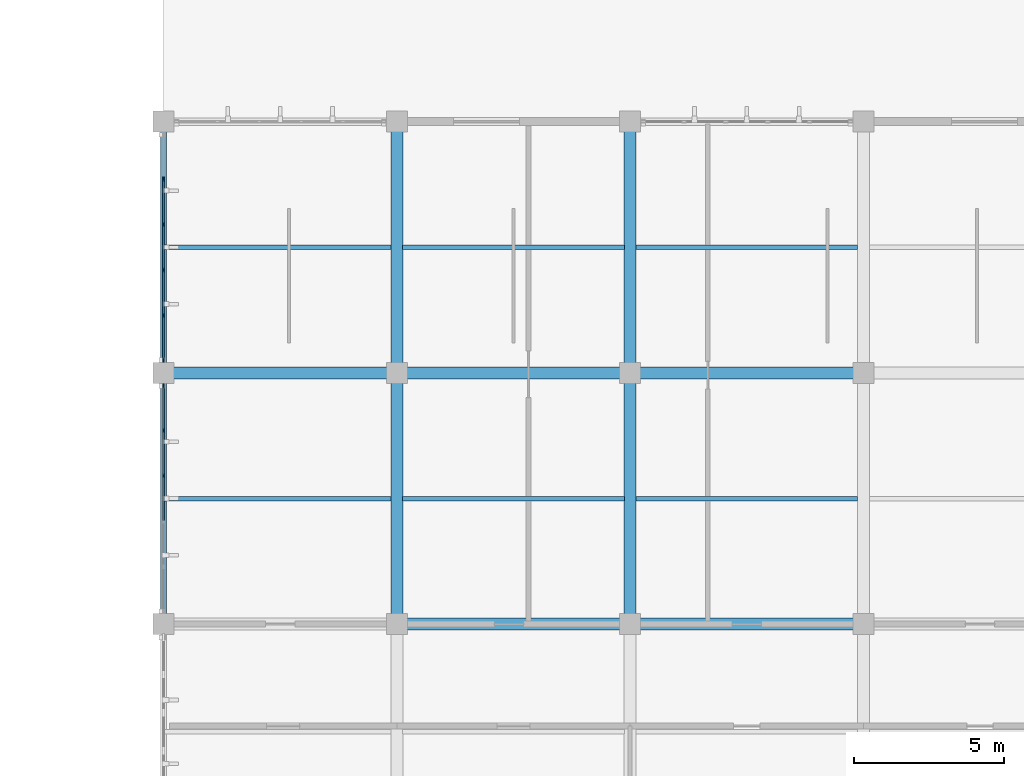
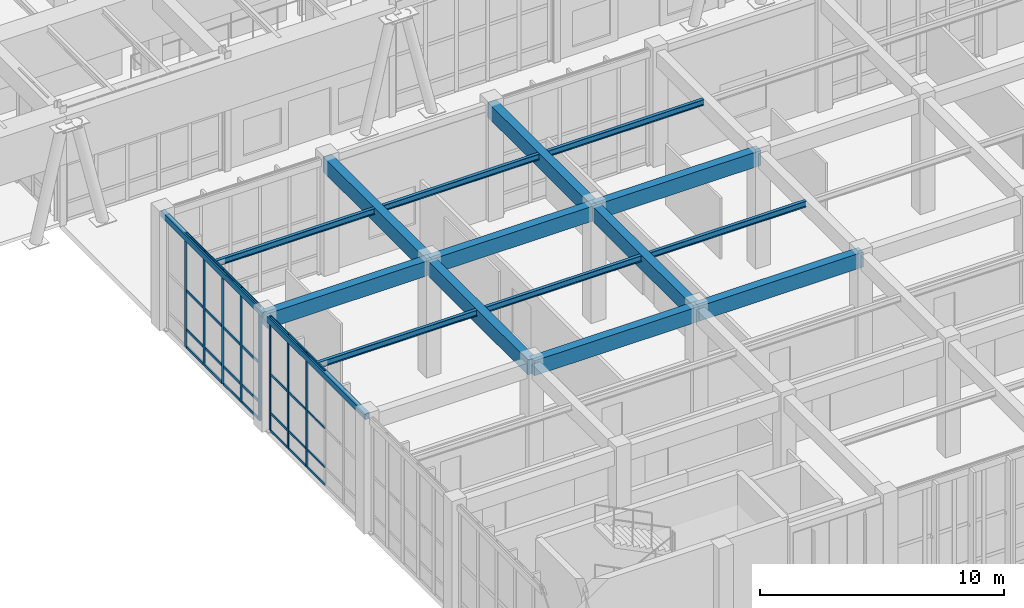
# One storey, part 16 of 110: 36 members, 17 beams, 2 elements without a shape of their own.
"""IFC4 building model written with IfcOpenShell, lengths in metres."""

import ifcopenshell
import ifcopenshell.guid

model = None  # the IFC model being written
_history = None  # IfcOwnerHistory: only IFC2X3 demands one
_inside = {}  # id of a spatial element -> (the spatial element, [elements in it])
_under = {}  # id of a project, library or spatial element -> (it, [spatial elements below it])
_declared = {}  # id of a project -> (the project, [libraries it declares])
_typed = {}  # id of a type object -> (the type object, [elements of that type])
_made_of = {}  # id of a material, layer set ... -> (it, [elements and type objects made of it])


def new_model(schema):
    """Start an empty IFC model of exactly this schema.

    Asked for "IFC4X3", IfcOpenShell would pick the latest addendum, in which some entities
    have other attributes; the version numbers below select the first issue.
    IFC2X3 requires an IfcOwnerHistory on every rooted entity: one is made here for all.
    """
    global model, _history
    if schema == "IFC4X3":
        model = ifcopenshell.file(schema_version=(4, 3, 0, 0))
    else:
        model = ifcopenshell.file(schema=schema)
    _inside.clear()
    _under.clear()
    _declared.clear()
    _typed.clear()
    _made_of.clear()
    _history = None
    if model.schema == "IFC2X3":
        org = make("IfcOrganization", Name="unknown")
        user = make(
            "IfcPersonAndOrganization",
            ThePerson=make("IfcPerson", FamilyName="unknown"),
            TheOrganization=org,
        )
        app = make(
            "IfcApplication",
            ApplicationDeveloper=org,
            Version="unknown",
            ApplicationFullName="unknown",
            ApplicationIdentifier="unknown",
        )
        _history = make(
            "IfcOwnerHistory",
            OwningUser=user,
            OwningApplication=app,
            ChangeAction="ADDED",
            CreationDate=0,
        )
    return model


def make(cls, **values):
    """One entity of the class cls with the attributes given. An attribute that is None is left unset."""
    return model.create_entity(
        cls, **{name: value for name, value in values.items() if value is not None}
    )


def rooted(cls, **values):
    """An entity with a GlobalId (a new one), such as an element, a storey or a relation."""
    return make(cls, GlobalId=ifcopenshell.guid.new(), OwnerHistory=_history, **values)


def si_unit(unit_type, name, prefix=None):
    """IfcSIUnit, for example si_unit("LENGTHUNIT", "METRE", prefix="MILLI")."""
    return make("IfcSIUnit", UnitType=unit_type, Prefix=prefix, Name=name)


def assignment(units):
    """IfcUnitAssignment: the units of a project."""
    return None if units is None else make("IfcUnitAssignment", Units=units)


def point(xyz):
    """IfcCartesianPoint."""
    return None if xyz is None else make("IfcCartesianPoint", Coordinates=xyz)


def direction(xyz):
    """IfcDirection."""
    return None if xyz is None else make("IfcDirection", DirectionRatios=xyz)


def frame(location, z_axis=None, x_axis=None):
    """IfcAxis2Placement3D, a coordinate frame: its origin and axes. An axis left out is left unset."""
    return make(
        "IfcAxis2Placement3D",
        Location=point(location),
        Axis=direction(z_axis),
        RefDirection=direction(x_axis),
    )


def frame_2d(location, x_axis=None):
    """IfcAxis2Placement2D, a coordinate frame in the plane: its origin and x axis."""
    return make(
        "IfcAxis2Placement2D", Location=point(location), RefDirection=direction(x_axis)
    )


def origin():
    """The frame at (0, 0, 0) with its axes left unset."""
    return frame((0.0, 0.0, 0.0))


def origin_2d():
    """The frame at (0, 0) in the plane with its x axis left unset."""
    return frame_2d((0.0, 0.0))


def place(relative_to, where):
    """IfcLocalPlacement: puts the frame where relative to a parent placement (None: the world)."""
    return make(
        "IfcLocalPlacement", PlacementRelTo=relative_to, RelativePlacement=where
    )


def context(
    kind, dimensions, precision=None, world=None, true_north=None, identifier=None
):
    """IfcGeometricRepresentationContext, for example the 3D "Model" context."""
    return make(
        "IfcGeometricRepresentationContext",
        ContextIdentifier=identifier,
        ContextType=kind,
        CoordinateSpaceDimension=dimensions,
        Precision=precision,
        WorldCoordinateSystem=world,
        TrueNorth=true_north,
    )


def subcontext(parent, identifier, kind, view, scale=None):
    """IfcGeometricRepresentationSubContext, for example "Body" below "Model"."""
    return make(
        "IfcGeometricRepresentationSubContext",
        ContextIdentifier=identifier,
        ContextType=kind,
        ParentContext=parent,
        TargetScale=scale,
        TargetView=view,
    )


def project(units=None, contexts=None):
    """IfcProject with its units and contexts."""
    return rooted(
        "IfcProject",
        Name="project",
        RepresentationContexts=contexts,
        UnitsInContext=assignment(units),
    )


def spatial(cls, under=None, at=None, **own):
    """A site, building, storey or space (cls), placed at a placement, below another one or the project."""
    s = rooted(cls, ObjectPlacement=at, **own)
    if under is not None:
        _under.setdefault(under.id(), (under, []))[1].append(s)
    return s


def profile(cls, at=None, kind="AREA", **sizes):
    """A parametric profile (cls). Its sizes go by their IFC names, for example OverallWidth=200.0."""
    return make(cls, ProfileType=kind, Position=at, **sizes)


def rectangle(**sizes):
    """IfcRectangleProfileDef."""
    return profile("IfcRectangleProfileDef", **sizes)


def hollow_rectangle(**sizes):
    """IfcRectangleHollowProfileDef."""
    return profile("IfcRectangleHollowProfileDef", **sizes)


def i_section(**sizes):
    """IfcIShapeProfileDef."""
    return profile("IfcIShapeProfileDef", **sizes)


def extrude(swept, where, along, depth):
    """IfcExtrudedAreaSolid: the profile swept, set in the frame where, extruded along a direction by depth."""
    return make(
        "IfcExtrudedAreaSolid",
        SweptArea=swept,
        Position=where,
        ExtrudedDirection=direction(along),
        Depth=depth,
    )


def shape(context_of_items, identifier, shape_type, items):
    """IfcShapeRepresentation: the items that make up one representation, for example the "Body"."""
    return make(
        "IfcShapeRepresentation",
        ContextOfItems=context_of_items,
        RepresentationIdentifier=identifier,
        RepresentationType=shape_type,
        Items=items,
    )


def material(Name=None, Category=None):
    """IfcMaterial."""
    return make("IfcMaterial", Name=Name, Category=Category)


def material_profile(
    of_material, cross_section, Name=None, Category=None, Priority=None
):
    """IfcMaterialProfile: a cross section and its material."""
    return make(
        "IfcMaterialProfile",
        Name=Name,
        Material=of_material,
        Profile=cross_section,
        Priority=Priority,
        Category=Category,
    )


def profile_set(profiles, Name=None, composite=None):
    """IfcMaterialProfileSet."""
    return make(
        "IfcMaterialProfileSet",
        Name=Name,
        MaterialProfiles=profiles,
        CompositeProfile=composite,
    )


def made_of(thing, what):
    """Note that an element or type object is made of a material, layer set ...; save() writes the relation."""
    if what is not None:
        _made_of.setdefault(what.id(), (what, []))[1].append(thing)
    return thing


def type_object(cls, material=None, **own):
    """A type object (cls), such as IfcWallType, which elements share."""
    return made_of(rooted(cls, **own), material)


def element(
    cls,
    number,
    at=None,
    inside=None,
    cuts=None,
    type_object=None,
    material=None,
    context=None,
    identifier="Body",
    shape_type=None,
    held_by="IfcProductDefinitionShape",
    body=None,
    shapes=None,
    **own,
):
    """One element of the class cls, such as IfcWall. Its Tag is "e" and its number.

    at: its placement. inside: the storey or other place that contains it. cuts: it is an
    opening in that element (IfcRelVoidsElement). A single representation is given by context,
    identifier, shape_type and body (its items); several are given by shapes. held_by: the class
    of the entity that holds the representations. save() writes the other relations.
    """
    e = rooted(cls, Tag="e%d" % number, ObjectPlacement=at, **own)
    if body is not None:
        shapes = [shape(context, identifier, shape_type, body)]
    if shapes is not None:
        e.Representation = make(held_by, Representations=shapes)
    if inside is not None:
        _inside.setdefault(inside.id(), (inside, []))[1].append(e)
    if cuts is not None:
        rooted(
            "IfcRelVoidsElement", RelatingBuildingElement=cuts, RelatedOpeningElement=e
        )
    if type_object is not None:
        _typed.setdefault(type_object.id(), (type_object, []))[1].append(e)
    return made_of(e, material)


def aggregate(whole, parts):
    """IfcRelAggregates: a whole, such as a stair, and the parts it consists of."""
    return rooted("IfcRelAggregates", RelatingObject=whole, RelatedObjects=parts)


def save(model, path):
    """Write the relations noted so far, then the file.

    IfcRelAggregates (storeys below a building ...), IfcRelContainedInSpatialStructure (elements
    in a storey), IfcRelDefinesByType, IfcRelAssociatesMaterial and IfcRelDeclares: one each for
    every whole, place, type object, material and project.
    """
    for whole, parts in _under.values():
        aggregate(whole, parts)
    for where, things in _inside.values():
        rooted(
            "IfcRelContainedInSpatialStructure",
            RelatedElements=things,
            RelatingStructure=where,
        )
    for kind, things in _typed.values():
        rooted("IfcRelDefinesByType", RelatedObjects=things, RelatingType=kind)
    for what, things in _made_of.values():
        rooted("IfcRelAssociatesMaterial", RelatedObjects=things, RelatingMaterial=what)
    for by, libraries in _declared.values():
        rooted("IfcRelDeclares", RelatingContext=by, RelatedDefinitions=libraries)
    model.write(path)


model = new_model("IFC4")

# Units and contexts
model_context = context("Model", 3, precision=1e-05, world=origin(), true_north=direction((0.0, 1.0)))
body_context = subcontext(model_context, "Body", "Model", "MODEL_VIEW")
ifc_project = project(units=[si_unit("LENGTHUNIT", "METRE"), si_unit("AREAUNIT", "SQUARE_METRE"), si_unit("VOLUMEUNIT", "CUBIC_METRE"), si_unit("PLANEANGLEUNIT", "RADIAN"), si_unit("MASSUNIT", "GRAM", prefix="KILO")], contexts=[model_context])

# Site, building, storey
site_placement = place(None, origin())
site = spatial("IfcSite", under=ifc_project, at=site_placement, CompositionType="ELEMENT")
building_placement = place(site_placement, origin())
building = spatial("IfcBuilding", under=site, at=building_placement, Name="Tizgana Railside Sports Hall", CompositionType="ELEMENT")
storey_placement = place(building_placement, origin())
storey = spatial("IfcBuildingStorey", under=building, at=storey_placement, Name="L00", CompositionType="ELEMENT", Elevation=0.0)

# Beams
ifc_material_1 = material(Name="Concrete C35/45", Category="concrete")
ifc_material_profile_1 = material_profile(ifc_material_1, rectangle(XDim=0.39990234375, YDim=0.75, at=origin_2d()), Name="RCB 400x750")
ifc_profile_set_1 = profile_set([ifc_material_profile_1], Name="Concrete C35/45")
beam_type_1 = type_object("IfcBeamType", Name="Concrete Beam RCB 400x750", PredefinedType="BEAM", material=ifc_profile_set_1)
for number, where, z_axis, x_axis, name in (
    (1, (15.60009765625, 15.60009765625, 5.37109375), (0.0, 1.0, 0.0), (-1.0, 0.0, 0.0), "L00 BEM-0338"),
    (2, (15.60009765625, 24.0, 5.37109375), (0.0, 1.0, 0.0), (-1.0, 0.0, 0.0), "L00 BEM-0339"),
    (3, (23.39990234375, 15.60009765625, 5.37109375), (0.0, 1.0, 0.0), (-1.0, 0.0, 0.0), "L00 BEM-0342"),
    (4, (23.39990234375, 24.0, 5.37109375), (0.0, 1.0, 0.0), (-1.0, 0.0, 0.0), "L00 BEM-0343"),
):
    element("IfcBeam", number, at=place(storey_placement, frame(where, z_axis=z_axis, x_axis=x_axis)), inside=storey, type_object=beam_type_1, Name=name, PredefinedType="BEAM", context=body_context, shape_type="SweptSolid", body=[
        extrude(rectangle(XDim=0.39990234375, YDim=0.75, at=origin_2d()), origin(), (0.0, 0.0, 1.0), 8.39990234375),
    ])
beam_placement = place(storey_placement, frame((7.800048828125, 24.0, 5.37109375), z_axis=(1.0, 0.0, 0.0), x_axis=(0.0, 1.0, 0.0)))
element("IfcBeam", 5, at=beam_placement, inside=storey, type_object=beam_type_1, Name="L00 BEM-0380", PredefinedType="BEAM", context=body_context, shape_type="SweptSolid", body=[
    extrude(rectangle(XDim=0.39990234375, YDim=0.75, at=origin_2d()), origin(), (0.0, 0.0, 1.0), 7.800048828125),
])
for number, where, z_axis, x_axis, name in (
    (6, (15.60009765625, 15.60009765625, 5.37109375), (1.0, 0.0, 0.0), (0.0, 1.0, 0.0), "L00 BEM-0386"),
    (7, (15.60009765625, 24.0, 5.37109375), (1.0, 0.0, 0.0), (0.0, 1.0, 0.0), "L00 BEM-0387"),
):
    element("IfcBeam", number, at=place(storey_placement, frame(where, z_axis=z_axis, x_axis=x_axis)), inside=storey, type_object=beam_type_1, Name=name, PredefinedType="BEAM", context=body_context, shape_type="SweptSolid", body=[
        extrude(rectangle(XDim=0.39990234375, YDim=0.75, at=origin_2d()), origin(), (0.0, 0.0, 1.0), 7.7998046875),
    ])
for number, where, z_axis, x_axis, name in (
    (8, (23.39990234375, 15.60009765625, 5.37109375), (1.0, 0.0, 0.0), (0.0, 1.0, 0.0), "L00 BEM-0394"),
    (9, (23.39990234375, 24.0, 5.37109375), (1.0, 0.0, 0.0), (0.0, 1.0, 0.0), "L00 BEM-0395"),
):
    element("IfcBeam", number, at=place(storey_placement, frame(where, z_axis=z_axis, x_axis=x_axis)), inside=storey, type_object=beam_type_1, Name=name, PredefinedType="BEAM", context=body_context, shape_type="SweptSolid", body=[
        extrude(rectangle(XDim=0.39990234375, YDim=0.75, at=origin_2d()), origin(), (0.0, 0.0, 1.0), 7.800048828125),
    ])

# Curtain wall, members
ifc_material_2 = material(Name="Anodised aluminium and glass", Category="aluminium")
curtain_wall_type_1 = type_object("IfcCurtainWallType", Name="Unitised Curtain Wall Clinic 1200", PredefinedType="NOTDEFINED", material=ifc_material_2)
curtain_wall_1_placement = place(storey_placement, origin())
curtain_wall_1 = element("IfcCurtainWall", 10, at=curtain_wall_1_placement, inside=storey, type_object=curtain_wall_type_1, Name="L00 Curtain Wall CW-0084", PredefinedType="NOTDEFINED")
ifc_material_3 = material(Name="Anodised aluminium", Category="aluminium")
ifc_material_profile_2 = material_profile(ifc_material_3, rectangle(XDim=0.06005859375, YDim=0.139892578125, at=origin_2d()), Name="Mullion 60x140")
ifc_profile_set_2 = profile_set([ifc_material_profile_2], Name="Anodised aluminium")
member_type_1 = type_object("IfcMemberType", Name="Mullion 60x140", PredefinedType="MULLION", material=ifc_profile_set_2)
member_1_placement = place(storey_placement, frame((7.800048828125, 23.56494140625, 0.044921875), z_axis=(0.0, 0.0, 1.0), x_axis=(1.0, 0.0, 0.0)))
member_1 = element("IfcMember", 11, at=member_1_placement, type_object=member_type_1, Name="CW-05 mullion 1", PredefinedType="MULLION", context=body_context, shape_type="SweptSolid", body=[
    extrude(rectangle(XDim=0.06005859375, YDim=0.139892578125, at=origin_2d()), origin(), (0.0, 0.0, 1.0), 5.705078125),
])
member_2_placement = place(storey_placement, frame((7.800048828125, 22.076904296875, 0.044921875), z_axis=(0.0, 0.0, 1.0), x_axis=(1.0, 0.0, 0.0)))
member_2 = element("IfcMember", 12, at=member_2_placement, type_object=member_type_1, Name="CW-05 mullion 2", PredefinedType="MULLION", context=body_context, shape_type="SweptSolid", body=[
    extrude(rectangle(XDim=0.06005859375, YDim=0.139892578125, at=origin_2d()), origin(), (0.0, 0.0, 1.0), 5.705078125),
])
member_3_placement = place(storey_placement, frame((7.800048828125, 20.55908203125, 0.044921875), z_axis=(0.0, 0.0, 1.0), x_axis=(1.0, 0.0, 0.0)))
member_3 = element("IfcMember", 13, at=member_3_placement, type_object=member_type_1, Name="CW-05 mullion 3", PredefinedType="MULLION", context=body_context, shape_type="SweptSolid", body=[
    extrude(rectangle(XDim=0.06005859375, YDim=0.139892578125, at=origin_2d()), origin(), (0.0, 0.0, 1.0), 5.705078125),
])

curtain_wall_type_2 = type_object("IfcCurtainWallType", Name="Unitised Curtain Wall Passage 1800", PredefinedType="NOTDEFINED", material=ifc_material_2)
curtain_wall_2_placement = place(storey_placement, origin())
curtain_wall_2 = element("IfcCurtainWall", 14, at=curtain_wall_2_placement, inside=storey, type_object=curtain_wall_type_2, Name="L00 Curtain Wall CW-0085", PredefinedType="NOTDEFINED")
ifc_material_profile_3 = material_profile(ifc_material_3, rectangle(XDim=0.06005859375, YDim=0.159912109375, at=origin_2d()), Name="Mullion 60x160")
ifc_profile_set_3 = profile_set([ifc_material_profile_3], Name="Anodised aluminium")
member_type_2 = type_object("IfcMemberType", Name="Mullion 60x160", PredefinedType="MULLION", material=ifc_profile_set_3)
member_4_placement = place(storey_placement, frame((7.800048828125, 30.47705078125, 0.044921875), z_axis=(0.0, 0.0, 1.0), x_axis=(1.0, 0.0, 0.0)))
member_4 = element("IfcMember", 15, at=member_4_placement, type_object=member_type_2, Name="CW-06 mullion 2", PredefinedType="MULLION", context=body_context, shape_type="SweptSolid", body=[
    extrude(rectangle(XDim=0.06005859375, YDim=0.159912109375, at=origin_2d()), origin(), (0.0, 0.0, 1.0), 5.705078125),
])
member_5_placement = place(storey_placement, frame((7.800048828125, 28.958984375, 0.044921875), z_axis=(0.0, 0.0, 1.0), x_axis=(1.0, 0.0, 0.0)))
member_5 = element("IfcMember", 16, at=member_5_placement, type_object=member_type_2, Name="CW-06 mullion 3", PredefinedType="MULLION", context=body_context, shape_type="SweptSolid", body=[
    extrude(rectangle(XDim=0.06005859375, YDim=0.159912109375, at=origin_2d()), origin(), (0.0, 0.0, 1.0), 5.705078125),
])
member_6_placement = place(storey_placement, frame((7.800048828125, 27.44091796875, 0.044921875), z_axis=(0.0, 0.0, 1.0), x_axis=(1.0, 0.0, 0.0)))
member_6 = element("IfcMember", 17, at=member_6_placement, type_object=member_type_2, Name="CW-06 mullion 4", PredefinedType="MULLION", context=body_context, shape_type="SweptSolid", body=[
    extrude(rectangle(XDim=0.06005859375, YDim=0.159912109375, at=origin_2d()), origin(), (0.0, 0.0, 1.0), 5.705078125),
])
member_7_placement = place(storey_placement, frame((7.800048828125, 25.923095703125, 0.044921875), z_axis=(0.0, 0.0, 1.0), x_axis=(1.0, 0.0, 0.0)))
member_7 = element("IfcMember", 18, at=member_7_placement, type_object=member_type_2, Name="CW-06 mullion 5", PredefinedType="MULLION", context=body_context, shape_type="SweptSolid", body=[
    extrude(rectangle(XDim=0.06005859375, YDim=0.159912109375, at=origin_2d()), origin(), (0.0, 0.0, 1.0), 5.705078125),
])
member_8_placement = place(storey_placement, frame((7.800048828125, 24.43505859375, 0.044921875), z_axis=(0.0, 0.0, 1.0), x_axis=(1.0, 0.0, 0.0)))
member_8 = element("IfcMember", 19, at=member_8_placement, type_object=member_type_2, Name="CW-06 mullion 6", PredefinedType="MULLION", context=body_context, shape_type="SweptSolid", body=[
    extrude(rectangle(XDim=0.06005859375, YDim=0.159912109375, at=origin_2d()), origin(), (0.0, 0.0, 1.0), 5.705078125),
])

# Beams
ifc_material_4 = material(Name="Steel S355J2", Category="steel")
ifc_material_profile_4 = material_profile(ifc_material_4, i_section(OverallWidth=0.14990234375, OverallDepth=0.300048828125, WebThickness=0.007080078125, FlangeThickness=0.0107421875, FilletRadius=0.014892578125, at=origin_2d()), Name="IPE 300")
ifc_profile_set_4 = profile_set([ifc_material_profile_4], Name="Steel S355J2")
beam_type_2 = type_object("IfcBeamType", Name="Steel Joist IPE 300", PredefinedType="JOIST", material=ifc_profile_set_4)
for number, where, z_axis, x_axis, name in (
    (20, (7.800048828125, 19.800048828125, 5.595947265625), (1.0, 0.0, 0.0), (0.0, 1.0, 0.0), "L00 BEM-0383"),
    (21, (7.800048828125, 28.199951171875, 5.595947265625), (1.0, 0.0, 0.0), (0.0, 1.0, 0.0), "L00 BEM-0384"),
):
    element("IfcBeam", number, at=place(storey_placement, frame(where, z_axis=z_axis, x_axis=x_axis)), inside=storey, type_object=beam_type_2, Name=name, PredefinedType="JOIST", context=body_context, shape_type="SweptSolid", body=[
        extrude(i_section(OverallWidth=0.14990234375, OverallDepth=0.300048828125, WebThickness=0.007080078125, FlangeThickness=0.0107421875, FilletRadius=0.014892578125, at=origin_2d()), origin(), (0.0, 0.0, 1.0), 7.60498046875),
    ])
for number, where, z_axis, x_axis, name in (
    (22, (15.794921875, 19.800048828125, 5.595947265625), (1.0, 0.0, 0.0), (0.0, 1.0, 0.0), "L00 BEM-0390"),
    (23, (15.794921875, 28.199951171875, 5.595947265625), (1.0, 0.0, 0.0), (0.0, 1.0, 0.0), "L00 BEM-0391"),
):
    element("IfcBeam", number, at=place(storey_placement, frame(where, z_axis=z_axis, x_axis=x_axis)), inside=storey, type_object=beam_type_2, Name=name, PredefinedType="JOIST", context=body_context, shape_type="SweptSolid", body=[
        extrude(i_section(OverallWidth=0.14990234375, OverallDepth=0.300048828125, WebThickness=0.007080078125, FlangeThickness=0.0107421875, FilletRadius=0.014892578125, at=origin_2d()), origin(), (0.0, 0.0, 1.0), 7.41015625),
    ])
for number, where, z_axis, x_axis, name in (
    (24, (23.594970703125, 19.800048828125, 5.595947265625), (1.0, 0.0, 0.0), (0.0, 1.0, 0.0), "L00 BEM-0399"),
    (25, (23.594970703125, 28.199951171875, 5.595947265625), (1.0, 0.0, 0.0), (0.0, 1.0, 0.0), "L00 BEM-0400"),
):
    element("IfcBeam", number, at=place(storey_placement, frame(where, z_axis=z_axis, x_axis=x_axis)), inside=storey, type_object=beam_type_2, Name=name, PredefinedType="JOIST", context=body_context, shape_type="SweptSolid", body=[
        extrude(i_section(OverallWidth=0.14990234375, OverallDepth=0.300048828125, WebThickness=0.007080078125, FlangeThickness=0.0107421875, FilletRadius=0.014892578125, at=origin_2d()), origin(), (0.0, 0.0, 1.0), 7.409912109375),
    ])
ifc_material_profile_5 = material_profile(ifc_material_4, hollow_rectangle(XDim=0.199951171875, YDim=0.300048828125, WallThickness=0.010009765625, at=origin_2d()), Name="RHS 300x200x10")
ifc_profile_set_5 = profile_set([ifc_material_profile_5], Name="Steel S355J2")
beam_type_3 = type_object("IfcBeamType", Name="Steel Spandrel RHS 300x200x10", PredefinedType="SPANDREL", material=ifc_profile_set_5)
for number, where, z_axis, x_axis, name in (
    (26, (7.800048828125, 15.60009765625, 5.595947265625), (0.0, 1.0, 0.0), (-1.0, 0.0, 0.0), "L00 BEM-0335"),
    (27, (7.800048828125, 24.0, 5.595947265625), (0.0, 1.0, 0.0), (-1.0, 0.0, 0.0), "L00 BEM-0336"),
):
    element("IfcBeam", number, at=place(storey_placement, frame(where, z_axis=z_axis, x_axis=x_axis)), inside=storey, type_object=beam_type_3, Name=name, PredefinedType="SPANDREL", context=body_context, shape_type="SweptSolid", body=[
        extrude(hollow_rectangle(XDim=0.199951171875, YDim=0.300048828125, WallThickness=0.010009765625, at=origin_2d()), origin(), (0.0, 0.0, 1.0), 8.39990234375),
    ])

# Member
ifc_material_profile_6 = material_profile(ifc_material_3, rectangle(XDim=0.06005859375, YDim=0.110107421875, at=origin_2d()), Name="Transom 60x110")
ifc_profile_set_6 = profile_set([ifc_material_profile_6], Name="Anodised aluminium")
member_type_3 = type_object("IfcMemberType", Name="Transom 60x110", PredefinedType="USERDEFINED", material=ifc_profile_set_6)
member_9_placement = place(storey_placement, frame((7.800048828125, 23.534912109375, 0.074951171875), z_axis=(0.0, -1.0, 0.0), x_axis=(1.0, 0.0, 0.0)))
member_9 = element("IfcMember", 28, at=member_9_placement, type_object=member_type_3, Name="CW-05 transom 1.1", ObjectType="TRANSOM", PredefinedType="USERDEFINED", context=body_context, shape_type="SweptSolid", body=[
    extrude(rectangle(XDim=0.06005859375, YDim=0.110107421875, at=origin_2d()), origin(), (0.0, 0.0, 1.0), 1.427978515625),
])

member_10_placement = place(storey_placement, frame((7.800048828125, 23.534912109375, 0.945068359375), z_axis=(0.0, -1.0, 0.0), x_axis=(1.0, 0.0, 0.0)))
member_10 = element("IfcMember", 29, at=member_10_placement, type_object=member_type_3, Name="CW-05 transom 1.2", ObjectType="TRANSOM", PredefinedType="USERDEFINED", context=body_context, shape_type="SweptSolid", body=[
    extrude(rectangle(XDim=0.06005859375, YDim=0.110107421875, at=origin_2d()), origin(), (0.0, 0.0, 1.0), 1.427978515625),
])

member_11_placement = place(storey_placement, frame((7.800048828125, 23.534912109375, 2.8974609375), z_axis=(0.0, -1.0, 0.0), x_axis=(1.0, 0.0, 0.0)))
member_11 = element("IfcMember", 30, at=member_11_placement, type_object=member_type_3, Name="CW-05 transom 1.3", ObjectType="TRANSOM", PredefinedType="USERDEFINED", context=body_context, shape_type="SweptSolid", body=[
    extrude(rectangle(XDim=0.06005859375, YDim=0.110107421875, at=origin_2d()), origin(), (0.0, 0.0, 1.0), 1.427978515625),
])

member_12_placement = place(storey_placement, frame((7.800048828125, 23.534912109375, 5.719970703125), z_axis=(0.0, -1.0, 0.0), x_axis=(1.0, 0.0, 0.0)))
member_12 = element("IfcMember", 31, at=member_12_placement, type_object=member_type_3, Name="CW-05 transom 1.4", ObjectType="TRANSOM", PredefinedType="USERDEFINED", context=body_context, shape_type="SweptSolid", body=[
    extrude(rectangle(XDim=0.06005859375, YDim=0.110107421875, at=origin_2d()), origin(), (0.0, 0.0, 1.0), 1.427978515625),
])

member_13_placement = place(storey_placement, frame((7.800048828125, 22.047119140625, 0.074951171875), z_axis=(0.0, -1.0, 0.0), x_axis=(1.0, 0.0, 0.0)))
member_13 = element("IfcMember", 32, at=member_13_placement, type_object=member_type_3, Name="CW-05 transom 2.1", ObjectType="TRANSOM", PredefinedType="USERDEFINED", context=body_context, shape_type="SweptSolid", body=[
    extrude(rectangle(XDim=0.06005859375, YDim=0.110107421875, at=origin_2d()), origin(), (0.0, 0.0, 1.0), 1.4580078125),
])

member_14_placement = place(storey_placement, frame((7.800048828125, 22.047119140625, 0.945068359375), z_axis=(0.0, -1.0, 0.0), x_axis=(1.0, 0.0, 0.0)))
member_14 = element("IfcMember", 33, at=member_14_placement, type_object=member_type_3, Name="CW-05 transom 2.2", ObjectType="TRANSOM", PredefinedType="USERDEFINED", context=body_context, shape_type="SweptSolid", body=[
    extrude(rectangle(XDim=0.06005859375, YDim=0.110107421875, at=origin_2d()), origin(), (0.0, 0.0, 1.0), 1.4580078125),
])

member_15_placement = place(storey_placement, frame((7.800048828125, 22.047119140625, 2.8974609375), z_axis=(0.0, -1.0, 0.0), x_axis=(1.0, 0.0, 0.0)))
member_15 = element("IfcMember", 34, at=member_15_placement, type_object=member_type_3, Name="CW-05 transom 2.3", ObjectType="TRANSOM", PredefinedType="USERDEFINED", context=body_context, shape_type="SweptSolid", body=[
    extrude(rectangle(XDim=0.06005859375, YDim=0.110107421875, at=origin_2d()), origin(), (0.0, 0.0, 1.0), 1.4580078125),
])

member_16_placement = place(storey_placement, frame((7.800048828125, 22.047119140625, 5.719970703125), z_axis=(0.0, -1.0, 0.0), x_axis=(1.0, 0.0, 0.0)))
member_16 = element("IfcMember", 35, at=member_16_placement, type_object=member_type_3, Name="CW-05 transom 2.4", ObjectType="TRANSOM", PredefinedType="USERDEFINED", context=body_context, shape_type="SweptSolid", body=[
    extrude(rectangle(XDim=0.06005859375, YDim=0.110107421875, at=origin_2d()), origin(), (0.0, 0.0, 1.0), 1.4580078125),
])

member_17_placement = place(storey_placement, frame((7.800048828125, 20.529052734375, 0.074951171875), z_axis=(0.0, -1.0, 0.0), x_axis=(1.0, 0.0, 0.0)))
member_17 = element("IfcMember", 36, at=member_17_placement, type_object=member_type_3, Name="CW-05 transom 3.1", ObjectType="TRANSOM", PredefinedType="USERDEFINED", context=body_context, shape_type="SweptSolid", body=[
    extrude(rectangle(XDim=0.06005859375, YDim=0.110107421875, at=origin_2d()), origin(), (0.0, 0.0, 1.0), 1.4580078125),
])

member_18_placement = place(storey_placement, frame((7.800048828125, 20.529052734375, 0.945068359375), z_axis=(0.0, -1.0, 0.0), x_axis=(1.0, 0.0, 0.0)))
member_18 = element("IfcMember", 37, at=member_18_placement, type_object=member_type_3, Name="CW-05 transom 3.2", ObjectType="TRANSOM", PredefinedType="USERDEFINED", context=body_context, shape_type="SweptSolid", body=[
    extrude(rectangle(XDim=0.06005859375, YDim=0.110107421875, at=origin_2d()), origin(), (0.0, 0.0, 1.0), 1.4580078125),
])

member_19_placement = place(storey_placement, frame((7.800048828125, 20.529052734375, 2.8974609375), z_axis=(0.0, -1.0, 0.0), x_axis=(1.0, 0.0, 0.0)))
member_19 = element("IfcMember", 38, at=member_19_placement, type_object=member_type_3, Name="CW-05 transom 3.3", ObjectType="TRANSOM", PredefinedType="USERDEFINED", context=body_context, shape_type="SweptSolid", body=[
    extrude(rectangle(XDim=0.06005859375, YDim=0.110107421875, at=origin_2d()), origin(), (0.0, 0.0, 1.0), 1.4580078125),
])

member_20_placement = place(storey_placement, frame((7.800048828125, 20.529052734375, 5.719970703125), z_axis=(0.0, -1.0, 0.0), x_axis=(1.0, 0.0, 0.0)))
member_20 = element("IfcMember", 39, at=member_20_placement, type_object=member_type_3, Name="CW-05 transom 3.4", ObjectType="TRANSOM", PredefinedType="USERDEFINED", context=body_context, shape_type="SweptSolid", body=[
    extrude(rectangle(XDim=0.06005859375, YDim=0.110107421875, at=origin_2d()), origin(), (0.0, 0.0, 1.0), 1.4580078125),
])

aggregate(curtain_wall_1, [member_1, member_2, member_3, member_9, member_10, member_11, member_12, member_13, member_14, member_15, member_16, member_17, member_18, member_19, member_20])

ifc_material_profile_7 = material_profile(ifc_material_3, rectangle(XDim=0.06005859375, YDim=0.1298828125, at=origin_2d()), Name="Transom 60x130")
ifc_profile_set_7 = profile_set([ifc_material_profile_7], Name="Anodised aluminium")
member_type_4 = type_object("IfcMemberType", Name="Transom 60x130", PredefinedType="USERDEFINED", material=ifc_profile_set_7)
member_21_placement = place(storey_placement, frame((7.800048828125, 30.447021484375, 0.074951171875), z_axis=(0.0, -1.0, 0.0), x_axis=(1.0, 0.0, 0.0)))
member_21 = element("IfcMember", 40, at=member_21_placement, type_object=member_type_4, Name="CW-06 transom 2.1", ObjectType="TRANSOM", PredefinedType="USERDEFINED", context=body_context, shape_type="SweptSolid", body=[
    extrude(rectangle(XDim=0.06005859375, YDim=0.1298828125, at=origin_2d()), origin(), (0.0, 0.0, 1.0), 1.4580078125),
])

member_22_placement = place(storey_placement, frame((7.800048828125, 30.447021484375, 0.945068359375), z_axis=(0.0, -1.0, 0.0), x_axis=(1.0, 0.0, 0.0)))
member_22 = element("IfcMember", 41, at=member_22_placement, type_object=member_type_4, Name="CW-06 transom 2.2", ObjectType="TRANSOM", PredefinedType="USERDEFINED", context=body_context, shape_type="SweptSolid", body=[
    extrude(rectangle(XDim=0.06005859375, YDim=0.1298828125, at=origin_2d()), origin(), (0.0, 0.0, 1.0), 1.4580078125),
])

member_23_placement = place(storey_placement, frame((7.800048828125, 30.447021484375, 2.8974609375), z_axis=(0.0, -1.0, 0.0), x_axis=(1.0, 0.0, 0.0)))
member_23 = element("IfcMember", 42, at=member_23_placement, type_object=member_type_4, Name="CW-06 transom 2.3", ObjectType="TRANSOM", PredefinedType="USERDEFINED", context=body_context, shape_type="SweptSolid", body=[
    extrude(rectangle(XDim=0.06005859375, YDim=0.1298828125, at=origin_2d()), origin(), (0.0, 0.0, 1.0), 1.4580078125),
])

member_24_placement = place(storey_placement, frame((7.800048828125, 30.447021484375, 5.719970703125), z_axis=(0.0, -1.0, 0.0), x_axis=(1.0, 0.0, 0.0)))
member_24 = element("IfcMember", 43, at=member_24_placement, type_object=member_type_4, Name="CW-06 transom 2.4", ObjectType="TRANSOM", PredefinedType="USERDEFINED", context=body_context, shape_type="SweptSolid", body=[
    extrude(rectangle(XDim=0.06005859375, YDim=0.1298828125, at=origin_2d()), origin(), (0.0, 0.0, 1.0), 1.4580078125),
])

member_25_placement = place(storey_placement, frame((7.800048828125, 28.928955078125, 0.074951171875), z_axis=(0.0, -1.0, 0.0), x_axis=(1.0, 0.0, 0.0)))
member_25 = element("IfcMember", 44, at=member_25_placement, type_object=member_type_4, Name="CW-06 transom 3.1", ObjectType="TRANSOM", PredefinedType="USERDEFINED", context=body_context, shape_type="SweptSolid", body=[
    extrude(rectangle(XDim=0.06005859375, YDim=0.1298828125, at=origin_2d()), origin(), (0.0, 0.0, 1.0), 1.4580078125),
])

member_26_placement = place(storey_placement, frame((7.800048828125, 28.928955078125, 0.945068359375), z_axis=(0.0, -1.0, 0.0), x_axis=(1.0, 0.0, 0.0)))
member_26 = element("IfcMember", 45, at=member_26_placement, type_object=member_type_4, Name="CW-06 transom 3.2", ObjectType="TRANSOM", PredefinedType="USERDEFINED", context=body_context, shape_type="SweptSolid", body=[
    extrude(rectangle(XDim=0.06005859375, YDim=0.1298828125, at=origin_2d()), origin(), (0.0, 0.0, 1.0), 1.4580078125),
])

member_27_placement = place(storey_placement, frame((7.800048828125, 28.928955078125, 2.8974609375), z_axis=(0.0, -1.0, 0.0), x_axis=(1.0, 0.0, 0.0)))
member_27 = element("IfcMember", 46, at=member_27_placement, type_object=member_type_4, Name="CW-06 transom 3.3", ObjectType="TRANSOM", PredefinedType="USERDEFINED", context=body_context, shape_type="SweptSolid", body=[
    extrude(rectangle(XDim=0.06005859375, YDim=0.1298828125, at=origin_2d()), origin(), (0.0, 0.0, 1.0), 1.4580078125),
])

member_28_placement = place(storey_placement, frame((7.800048828125, 28.928955078125, 5.719970703125), z_axis=(0.0, -1.0, 0.0), x_axis=(1.0, 0.0, 0.0)))
member_28 = element("IfcMember", 47, at=member_28_placement, type_object=member_type_4, Name="CW-06 transom 3.4", ObjectType="TRANSOM", PredefinedType="USERDEFINED", context=body_context, shape_type="SweptSolid", body=[
    extrude(rectangle(XDim=0.06005859375, YDim=0.1298828125, at=origin_2d()), origin(), (0.0, 0.0, 1.0), 1.4580078125),
])

member_29_placement = place(storey_placement, frame((7.800048828125, 27.410888671875, 0.074951171875), z_axis=(0.0, -1.0, 0.0), x_axis=(1.0, 0.0, 0.0)))
member_29 = element("IfcMember", 48, at=member_29_placement, type_object=member_type_4, Name="CW-06 transom 4.1", ObjectType="TRANSOM", PredefinedType="USERDEFINED", context=body_context, shape_type="SweptSolid", body=[
    extrude(rectangle(XDim=0.06005859375, YDim=0.1298828125, at=origin_2d()), origin(), (0.0, 0.0, 1.0), 1.4580078125),
])

member_30_placement = place(storey_placement, frame((7.800048828125, 27.410888671875, 0.945068359375), z_axis=(0.0, -1.0, 0.0), x_axis=(1.0, 0.0, 0.0)))
member_30 = element("IfcMember", 49, at=member_30_placement, type_object=member_type_4, Name="CW-06 transom 4.2", ObjectType="TRANSOM", PredefinedType="USERDEFINED", context=body_context, shape_type="SweptSolid", body=[
    extrude(rectangle(XDim=0.06005859375, YDim=0.1298828125, at=origin_2d()), origin(), (0.0, 0.0, 1.0), 1.4580078125),
])

member_31_placement = place(storey_placement, frame((7.800048828125, 27.410888671875, 2.8974609375), z_axis=(0.0, -1.0, 0.0), x_axis=(1.0, 0.0, 0.0)))
member_31 = element("IfcMember", 50, at=member_31_placement, type_object=member_type_4, Name="CW-06 transom 4.3", ObjectType="TRANSOM", PredefinedType="USERDEFINED", context=body_context, shape_type="SweptSolid", body=[
    extrude(rectangle(XDim=0.06005859375, YDim=0.1298828125, at=origin_2d()), origin(), (0.0, 0.0, 1.0), 1.4580078125),
])

member_32_placement = place(storey_placement, frame((7.800048828125, 27.410888671875, 5.719970703125), z_axis=(0.0, -1.0, 0.0), x_axis=(1.0, 0.0, 0.0)))
member_32 = element("IfcMember", 51, at=member_32_placement, type_object=member_type_4, Name="CW-06 transom 4.4", ObjectType="TRANSOM", PredefinedType="USERDEFINED", context=body_context, shape_type="SweptSolid", body=[
    extrude(rectangle(XDim=0.06005859375, YDim=0.1298828125, at=origin_2d()), origin(), (0.0, 0.0, 1.0), 1.4580078125),
])

member_33_placement = place(storey_placement, frame((7.800048828125, 25.89306640625, 0.074951171875), z_axis=(0.0, -1.0, 0.0), x_axis=(1.0, 0.0, 0.0)))
member_33 = element("IfcMember", 52, at=member_33_placement, type_object=member_type_4, Name="CW-06 transom 5.1", ObjectType="TRANSOM", PredefinedType="USERDEFINED", context=body_context, shape_type="SweptSolid", body=[
    extrude(rectangle(XDim=0.06005859375, YDim=0.1298828125, at=origin_2d()), origin(), (0.0, 0.0, 1.0), 1.427978515625),
])

member_34_placement = place(storey_placement, frame((7.800048828125, 25.89306640625, 0.945068359375), z_axis=(0.0, -1.0, 0.0), x_axis=(1.0, 0.0, 0.0)))
member_34 = element("IfcMember", 53, at=member_34_placement, type_object=member_type_4, Name="CW-06 transom 5.2", ObjectType="TRANSOM", PredefinedType="USERDEFINED", context=body_context, shape_type="SweptSolid", body=[
    extrude(rectangle(XDim=0.06005859375, YDim=0.1298828125, at=origin_2d()), origin(), (0.0, 0.0, 1.0), 1.427978515625),
])

member_35_placement = place(storey_placement, frame((7.800048828125, 25.89306640625, 2.8974609375), z_axis=(0.0, -1.0, 0.0), x_axis=(1.0, 0.0, 0.0)))
member_35 = element("IfcMember", 54, at=member_35_placement, type_object=member_type_4, Name="CW-06 transom 5.3", ObjectType="TRANSOM", PredefinedType="USERDEFINED", context=body_context, shape_type="SweptSolid", body=[
    extrude(rectangle(XDim=0.06005859375, YDim=0.1298828125, at=origin_2d()), origin(), (0.0, 0.0, 1.0), 1.427978515625),
])

member_36_placement = place(storey_placement, frame((7.800048828125, 25.89306640625, 5.719970703125), z_axis=(0.0, -1.0, 0.0), x_axis=(1.0, 0.0, 0.0)))
member_36 = element("IfcMember", 55, at=member_36_placement, type_object=member_type_4, Name="CW-06 transom 5.4", ObjectType="TRANSOM", PredefinedType="USERDEFINED", context=body_context, shape_type="SweptSolid", body=[
    extrude(rectangle(XDim=0.06005859375, YDim=0.1298828125, at=origin_2d()), origin(), (0.0, 0.0, 1.0), 1.427978515625),
])

aggregate(curtain_wall_2, [member_4, member_5, member_6, member_7, member_8, member_21, member_22, member_23, member_24, member_25, member_26, member_27, member_28, member_29, member_30, member_31, member_32, member_33, member_34, member_35, member_36])

save(model, "model.ifc")
